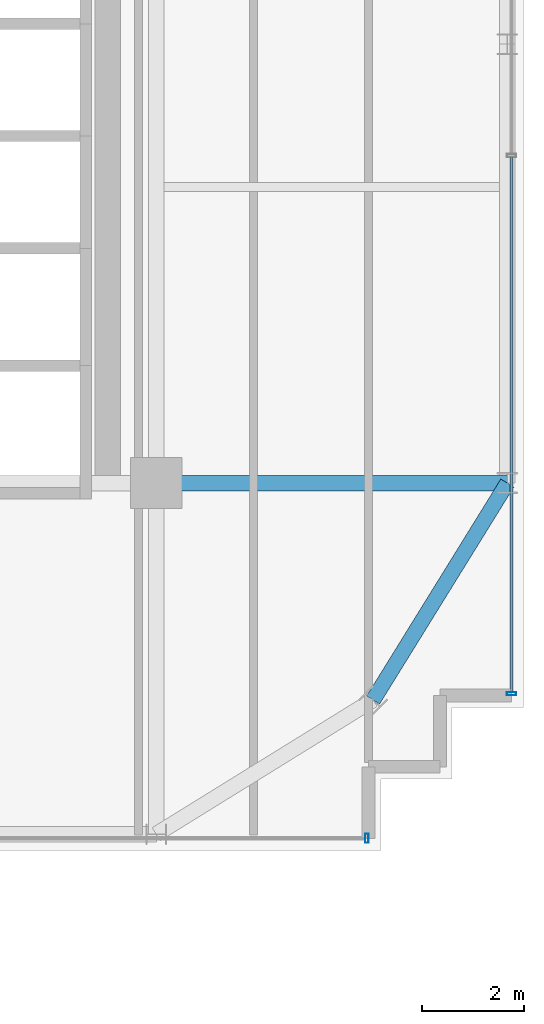
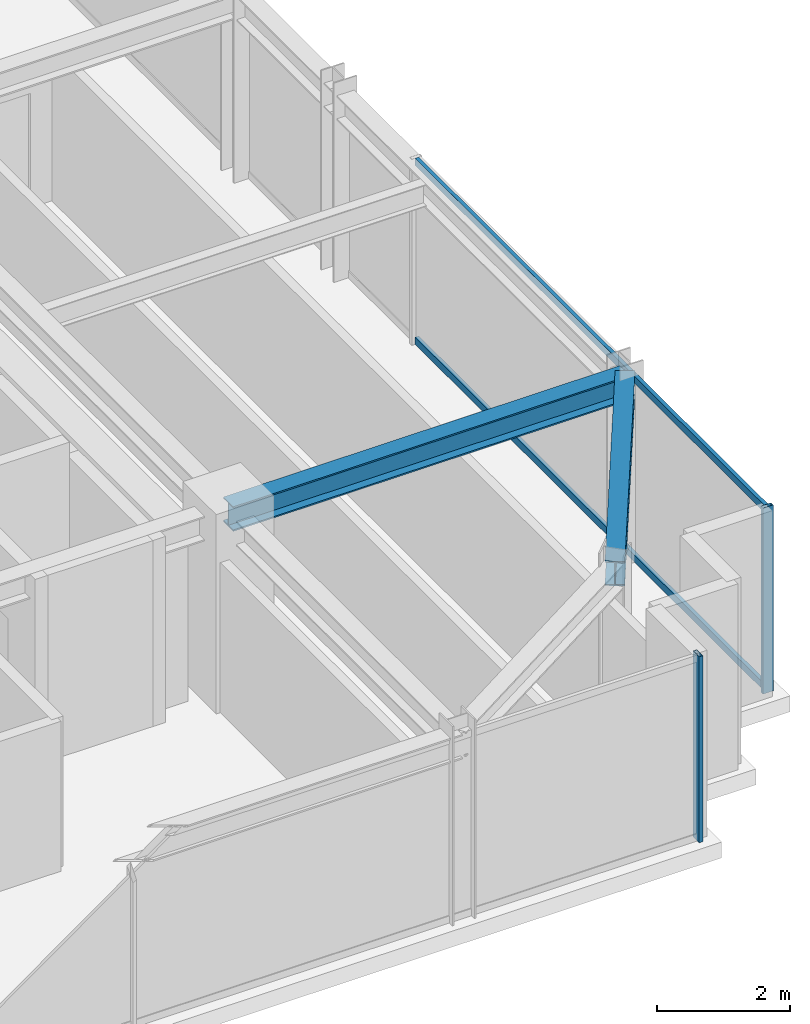
# One storey, part 14 of 35: 4 members, 2 beams, 2 elements without a shape of their own.
"""IFC4 building model written with IfcOpenShell, lengths in metres."""

from ifc_helpers import new_model, si_unit, direction, frame, origin, origin_2d, place, context, subcontext, project, spatial, hollow_rectangle, i_section, extrude, source, transform, mapped, material, material_profile, profile_set, type_object, element, aggregate, save


model = new_model("IFC4")

# Units and contexts
model_context = context("Model", 3, precision=1e-05, world=origin(), true_north=direction((0.0, 1.0)))
body_context = subcontext(model_context, "Body", "Model", "MODEL_VIEW")
ifc_project = project(units=[si_unit("LENGTHUNIT", "METRE"), si_unit("AREAUNIT", "SQUARE_METRE"), si_unit("VOLUMEUNIT", "CUBIC_METRE"), si_unit("PLANEANGLEUNIT", "RADIAN"), si_unit("MASSUNIT", "GRAM", prefix="KILO")], contexts=[model_context])

# Site, building, storey
site_placement = place(None, origin())
site = spatial("IfcSite", under=ifc_project, at=site_placement, CompositionType="ELEMENT")
building_placement = place(site_placement, origin())
building = spatial("IfcBuilding", under=site, at=building_placement, Name="Nahalor Promenade Grand Hotel", CompositionType="ELEMENT")
storey_placement = place(building_placement, frame((0.0, 0.0, 216.0)))
storey = spatial("IfcBuildingStorey", under=building, at=storey_placement, Name="L55", CompositionType="ELEMENT", Elevation=216.0)

# Beams
ifc_material_1 = material(Name="Steel S355JR", Category="steel")
ifc_material_profile_1 = material_profile(ifc_material_1, i_section(OverallWidth=0.3, OverallDepth=0.45, WebThickness=0.014, FlangeThickness=0.026, at=origin_2d()), Name="HEB 450")
ifc_profile_set_1 = profile_set([ifc_material_profile_1], Name="Steel S355JR")
beam_type_1 = type_object("IfcBeamType", Name="Beam-Spandrel-HEB450", PredefinedType="SPANDREL", material=ifc_profile_set_1)
shared_shape_1 = source(origin(), body_context, "Body", "SweptSolid", [
    extrude(i_section(OverallWidth=0.3, OverallDepth=0.45, WebThickness=0.014, FlangeThickness=0.026, at=origin_2d()), origin(), (0.0, 0.0, 1.0), 4.997802734375),
])
beam_1_placement = place(storey_placement, frame((21.25, -21.25, 3.18505859375), z_axis=(0.526199891161, 0.850360908404, 0.0), x_axis=(-0.850360908404, 0.526199891161, 0.0)))
element("IfcBeam", 1, at=beam_1_placement, inside=storey, type_object=beam_type_1, Name="BM-L55-SPC-SE-2", PredefinedType="SPANDREL", context=body_context, shape_type="MappedRepresentation", body=[
    mapped(shared_shape_1, transform((0.0, 0.0, 0.0), scale=1.0)),
])
ifc_material_profile_2 = material_profile(ifc_material_1, i_section(OverallWidth=0.3, OverallDepth=0.45, WebThickness=0.014, FlangeThickness=0.026, at=origin_2d()), Name="HEB 450")
ifc_profile_set_2 = profile_set([ifc_material_profile_2], Name="Steel S355JR")
beam_type_2 = type_object("IfcBeamType", Name="Beam-Girder-HEB450", PredefinedType="BEAM", material=ifc_profile_set_2)
shared_shape_2 = source(origin(), body_context, "Body", "SweptSolid", [
    extrude(i_section(OverallWidth=0.3, OverallDepth=0.45, WebThickness=0.014, FlangeThickness=0.026, at=origin_2d()), origin(), (0.0, 0.0, 1.0), 6.8798828125),
])
beam_2_placement = place(storey_placement, frame((17.0, -17.0, 3.18505859375), z_axis=(1.0, 0.0, 0.0), x_axis=(0.0, 1.0, 0.0)))
element("IfcBeam", 2, at=beam_2_placement, inside=storey, type_object=beam_type_2, Name="BM-L55-GX-0-6", PredefinedType="BEAM", context=body_context, shape_type="MappedRepresentation", body=[
    mapped(shared_shape_2, transform((0.0, 0.0, 0.0), scale=1.0)),
])

# Curtain wall, members
ifc_material_2 = material(Name="Anodised Bronze Aluminium EN AW-6063 T6", Category="aluminium")
curtain_wall_type = type_object("IfcCurtainWallType", Name="CW2 Typical Hotel Flush Bronze Unitised Curtain Wall", PredefinedType="USERDEFINED", material=ifc_material_2)
curtain_wall_1_placement = place(storey_placement, origin())
curtain_wall_1 = element("IfcCurtainWall", 3, at=curtain_wall_1_placement, inside=storey, type_object=curtain_wall_type, Name="L55 Curtain Wall CW-L55-E-1", ObjectType="UNITISED_CURTAIN_WALL", PredefinedType="USERDEFINED")
ifc_material_profile_3 = material_profile(ifc_material_2, hollow_rectangle(XDim=0.065, YDim=0.13, WallThickness=0.004, at=origin_2d()), Name="CWT 65x130x4")
ifc_profile_set_3 = profile_set([ifc_material_profile_3], Name="Anodised Bronze Aluminium EN AW-6063 T6")
member_type_1 = type_object("IfcMemberType", Name="CWT2 Typical Bronze Transom 65x130", PredefinedType="USERDEFINED", material=ifc_profile_set_3)
shared_shape_3 = source(origin(), body_context, "Body", "SweptSolid", [
    extrude(hollow_rectangle(XDim=0.065, YDim=0.13, WallThickness=0.004, at=origin_2d()), origin(), (0.0, 0.0, 1.0), 10.482421875),
])
member_1_placement = place(storey_placement, frame((23.9599609375, -21.094970703125, 0.06494140625), z_axis=(0.0, 1.0, 0.0), x_axis=(-1.0, 0.0, 0.0)))
member_1 = element("IfcMember", 4, at=member_1_placement, type_object=member_type_1, Name="CW-L55-E-1 Transom 0-0", ObjectType="TRANSOM", PredefinedType="USERDEFINED", context=body_context, shape_type="MappedRepresentation", body=[
    mapped(shared_shape_3, transform((0.0, 0.0, 0.0), scale=1.0)),
])
member_2_placement = place(storey_placement, frame((23.9599609375, -21.094970703125, 3.344970703125), z_axis=(0.0, 1.0, 0.0), x_axis=(-1.0, 0.0, 0.0)))
member_2 = element("IfcMember", 5, at=member_2_placement, type_object=member_type_1, Name="CW-L55-E-1 Transom 0-1", ObjectType="TRANSOM", PredefinedType="USERDEFINED", context=body_context, shape_type="MappedRepresentation", body=[
    mapped(shared_shape_3, transform((0.0, 0.0, 0.0), scale=1.0)),
])

# Curtain wall, member
curtain_wall_2_placement = place(storey_placement, origin())
curtain_wall_2 = element("IfcCurtainWall", 6, at=curtain_wall_2_placement, inside=storey, type_object=curtain_wall_type, Name="L55 Curtain Wall CW-L55-S-3", ObjectType="UNITISED_CURTAIN_WALL", PredefinedType="USERDEFINED")
ifc_material_profile_4 = material_profile(ifc_material_2, hollow_rectangle(XDim=0.065, YDim=0.18, WallThickness=0.004, at=origin_2d()), Name="CWM 65x180x4")
ifc_profile_set_4 = profile_set([ifc_material_profile_4], Name="Anodised Bronze Aluminium EN AW-6063 T6")
member_type_2 = type_object("IfcMemberType", Name="CWM2 Typical Bronze Mullion 65x180", PredefinedType="MULLION", material=ifc_profile_set_4)
shared_shape_4 = source(origin(), body_context, "Body", "SweptSolid", [
    extrude(hollow_rectangle(XDim=0.065, YDim=0.18, WallThickness=0.004, at=origin_2d()), origin(), (0.0, 0.0, 1.0), 3.409912109375),
])
member_3_placement = place(storey_placement, frame((21.12744140625, -23.9599609375, 0.0), z_axis=(0.0, 0.0, 1.0), x_axis=(1.0, 0.0, 0.0)))
member_3 = element("IfcMember", 7, at=member_3_placement, type_object=member_type_2, Name="CW-L55-S-3 Mullion 3", PredefinedType="MULLION", context=body_context, shape_type="MappedRepresentation", body=[
    mapped(shared_shape_4, transform((0.0, 0.0, 0.0), scale=1.0)),
])
aggregate(curtain_wall_2, [member_3])

# Member
member_4_placement = place(storey_placement, frame((23.9599609375, -21.12744140625, 0.0), z_axis=(0.0, 0.0, 1.0), x_axis=(0.0, 1.0, 0.0)))
member_4 = element("IfcMember", 8, at=member_4_placement, type_object=member_type_2, Name="CW-L55-E-1 Mullion 0", PredefinedType="MULLION", context=body_context, shape_type="MappedRepresentation", body=[
    mapped(shared_shape_4, transform((0.0, 0.0, 0.0), scale=1.0)),
])

aggregate(curtain_wall_1, [member_4, member_1, member_2])

save(model, "model.ifc")
